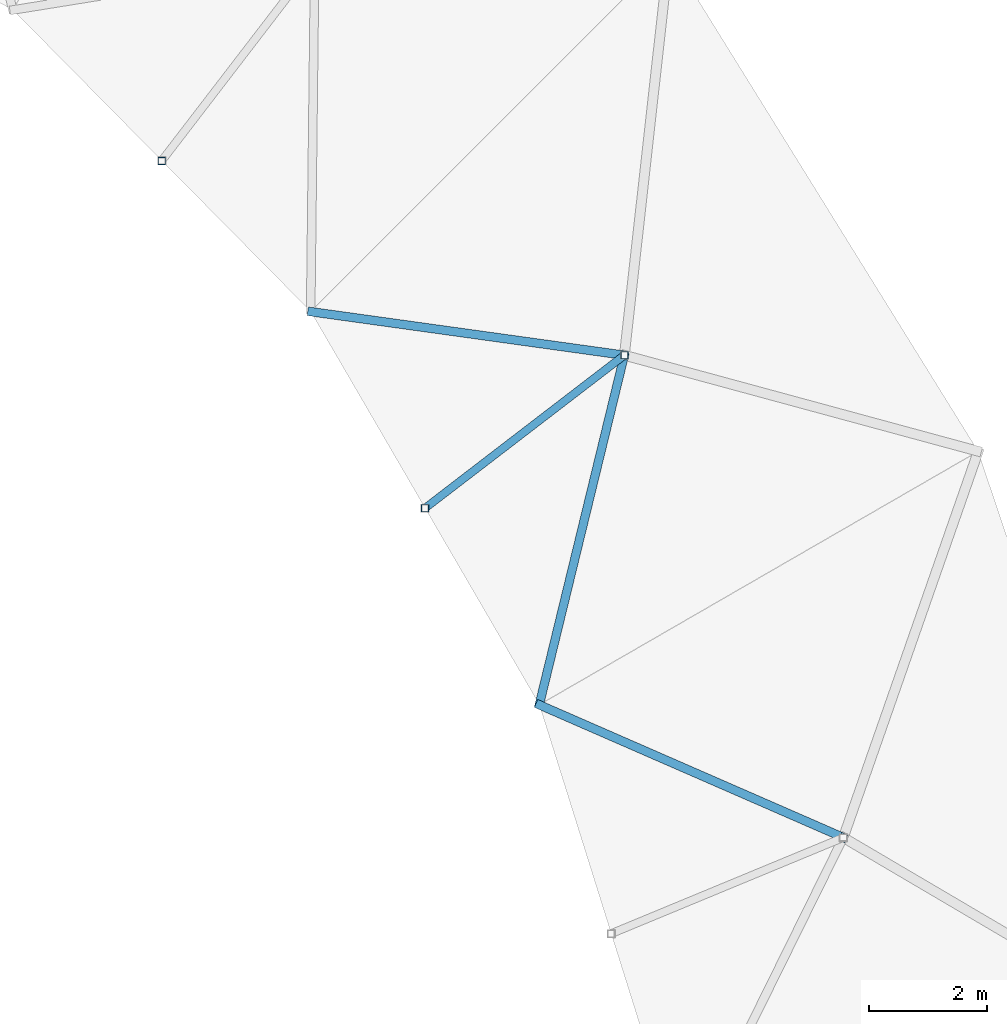
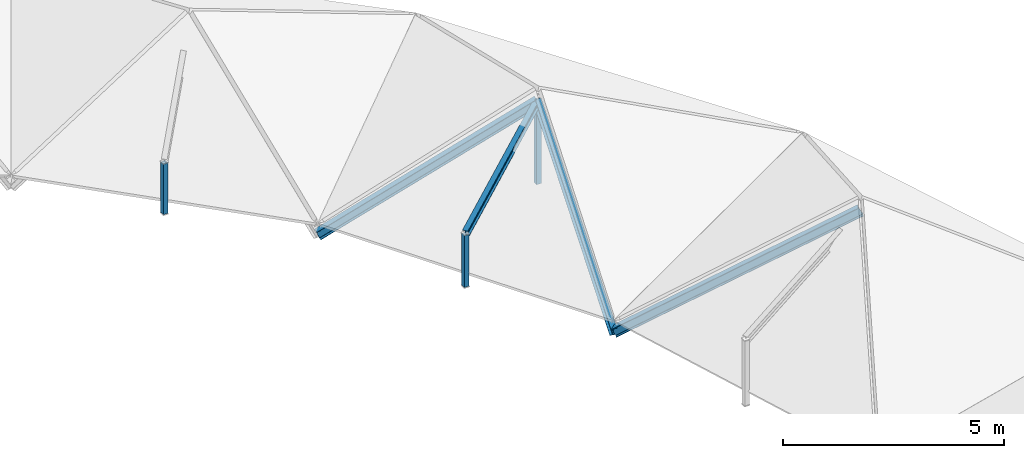
# One storey, part 15 of 28: 7 members.
"""IFC4 building model written with IfcOpenShell, lengths in metres."""

from ifc_helpers import new_model, si_unit, direction, frame, origin, origin_2d, place, context, subcontext, project, spatial, hollow_rectangle, i_section, extrude, material, material_profile, profile_set, type_object, element, save


model = new_model("IFC4")

# Units and contexts
model_context = context("Model", 3, precision=1e-05, world=origin(), true_north=direction((0.0, 1.0)))
body_context = subcontext(model_context, "Body", "Model", "MODEL_VIEW")
ifc_project = project(units=[si_unit("LENGTHUNIT", "METRE"), si_unit("AREAUNIT", "SQUARE_METRE"), si_unit("VOLUMEUNIT", "CUBIC_METRE"), si_unit("PLANEANGLEUNIT", "RADIAN"), si_unit("MASSUNIT", "GRAM", prefix="KILO")], contexts=[model_context])

# Site, building, storey
site_placement = place(None, origin())
site = spatial("IfcSite", under=ifc_project, at=site_placement, CompositionType="ELEMENT")
building_placement = place(site_placement, origin())
building = spatial("IfcBuilding", under=site, at=building_placement, Name="Karori Crest Natural Sciences Institute", CompositionType="ELEMENT")
storey_placement = place(building_placement, frame((0.0, 0.0, 34.300048828125)))
storey = spatial("IfcBuildingStorey", under=building, at=storey_placement, Name="L08", CompositionType="ELEMENT", Elevation=34.300048828125)

# Members
ifc_material_1 = material(Name="Structural steel AS/NZS 3679.1 Grade 350", Category="steel")
ifc_material_profile_1 = material_profile(ifc_material_1, i_section(OverallWidth=0.14599609375, OverallDepth=0.256103515625, WebThickness=0.00634765625, FlangeThickness=0.010986328125, FilletRadius=0.009033203125, at=origin_2d()), Name="250UB37.3")
ifc_profile_set_1 = profile_set([ifc_material_profile_1], Name="Structural steel AS/NZS 3679.1 Grade 350")
member_type_1 = type_object("IfcMemberType", Name="MT-07", PredefinedType="RAFTER", material=ifc_profile_set_1)
member_1_placement = place(storey_placement, frame((87.531005859375, 66.0, -0.260009765625), z_axis=(0.813898968436, -0.355341547261, 0.459674726268), x_axis=(0.400120040196, 0.916462739796, 0.0)))
element("IfcMember", 1, at=member_1_placement, inside=storey, type_object=member_type_1, Name="Member M-0041", PredefinedType="RAFTER", context=body_context, shape_type="SweptSolid", body=[
    extrude(i_section(OverallWidth=0.14599609375, OverallDepth=0.256103515625, WebThickness=0.00634765625, FlangeThickness=0.010986328125, FilletRadius=0.009033203125, at=origin_2d()), origin(), (0.0, 0.0, 1.0), 6.336669921875),
])
member_2_placement = place(storey_placement, frame((87.531005859375, 66.0, -0.260009765625), z_axis=(0.22181051341, 0.911254017201, 0.347010392173), x_axis=(-0.971629848575, 0.236506738504, 0.0)))
element("IfcMember", 2, at=member_2_placement, inside=storey, type_object=member_type_1, Name="Member M-0047", PredefinedType="RAFTER", context=body_context, shape_type="SweptSolid", body=[
    extrude(i_section(OverallWidth=0.14599609375, OverallDepth=0.256103515625, WebThickness=0.00634765625, FlangeThickness=0.010986328125, FilletRadius=0.009033203125, at=origin_2d()), origin(), (0.0, 0.0, 1.0), 6.507080078125),
])
member_3_placement = place(storey_placement, frame((83.6533203125, 72.668701171875, -0.260009765625), z_axis=(0.913109378934, -0.126817255794, 0.387490187922), x_axis=(0.13756465579, 0.99049278921, 0.0)))
element("IfcMember", 3, at=member_3_placement, inside=storey, type_object=member_type_1, Name="Member M-0048", PredefinedType="RAFTER", context=body_context, shape_type="SweptSolid", body=[
    extrude(i_section(OverallWidth=0.14599609375, OverallDepth=0.256103515625, WebThickness=0.00634765625, FlangeThickness=0.010986328125, FilletRadius=0.009033203125, at=origin_2d()), origin(), (0.0, 0.0, 1.0), 5.827392578125),
])
ifc_material_profile_2 = material_profile(ifc_material_1, i_section(OverallWidth=0.133056640625, OverallDepth=0.202880859375, WebThickness=0.005859375, FlangeThickness=0.0078125, FilletRadius=0.009033203125, at=origin_2d()), Name="200UB25.4")
ifc_profile_set_2 = profile_set([ifc_material_profile_2], Name="Structural steel AS/NZS 3679.1 Grade 350")
member_type_2 = type_object("IfcMemberType", Name="MT-09", PredefinedType="PURLIN", material=ifc_profile_set_2)
member_4_placement = place(storey_placement, frame((85.59228515625, 69.33447265625, 1.10400390625), z_axis=(0.776455936691, 0.595807883276, 0.205253854051), x_axis=(-0.608769331465, 0.793347276461, 0.0)))
element("IfcMember", 4, at=member_4_placement, inside=storey, type_object=member_type_2, Name="Member M-0049", PredefinedType="PURLIN", context=body_context, shape_type="SweptSolid", body=[
    extrude(i_section(OverallWidth=0.133056640625, OverallDepth=0.202880859375, WebThickness=0.005859375, FlangeThickness=0.0078125, FilletRadius=0.009033203125, at=origin_2d()), origin(), (0.0, 0.0, 1.0), 4.355712890625),
])
ifc_material_2 = material(Name="Hollow structural steel AS/NZS 1163 Grade C350", Category="steel")
ifc_material_profile_3 = material_profile(ifc_material_2, hollow_rectangle(XDim=0.125, YDim=0.125, WallThickness=0.006103515625, at=origin_2d()), Name="SHS125x125x6")
ifc_profile_set_3 = profile_set([ifc_material_profile_3], Name="Hollow structural steel AS/NZS 1163 Grade C350")
member_type_3 = type_object("IfcMemberType", Name="MT-20", PredefinedType="STRUT", material=ifc_profile_set_3)
member_5_placement = place(storey_placement, frame((88.974365234375, 71.9296875, -0.2451171875), z_axis=(0.0, 0.0, 1.0), x_axis=(1.0, 0.0, 0.0)))
element("IfcMember", 5, at=member_5_placement, inside=storey, type_object=member_type_3, Name="Member M-0043", PredefinedType="STRUT", context=body_context, shape_type="SweptSolid", body=[
    extrude(hollow_rectangle(XDim=0.125, YDim=0.125, WallThickness=0.006103515625, at=origin_2d()), origin(), (0.0, 0.0, 1.0), 2.2431640625),
])
member_6_placement = place(storey_placement, frame((85.59228515625, 69.33447265625, -0.322998046875), z_axis=(0.0, 0.0, 1.0), x_axis=(1.0, 0.0, 0.0)))
element("IfcMember", 6, at=member_6_placement, inside=storey, type_object=member_type_3, Name="Member M-0044", PredefinedType="STRUT", context=body_context, shape_type="SweptSolid", body=[
    extrude(hollow_rectangle(XDim=0.125, YDim=0.125, WallThickness=0.006103515625, at=origin_2d()), origin(), (0.0, 0.0, 1.0), 1.427001953125),
])
member_7_placement = place(storey_placement, frame((81.126708984375, 75.227294921875, -0.322998046875), z_axis=(0.0, 0.0, 1.0), x_axis=(1.0, 0.0, 0.0)))
element("IfcMember", 7, at=member_7_placement, inside=storey, type_object=member_type_3, Name="Member M-0051", PredefinedType="STRUT", context=body_context, shape_type="SweptSolid", body=[
    extrude(hollow_rectangle(XDim=0.125, YDim=0.125, WallThickness=0.006103515625, at=origin_2d()), origin(), (0.0, 0.0, 1.0), 1.390869140625),
])

save(model, "model.ifc")
